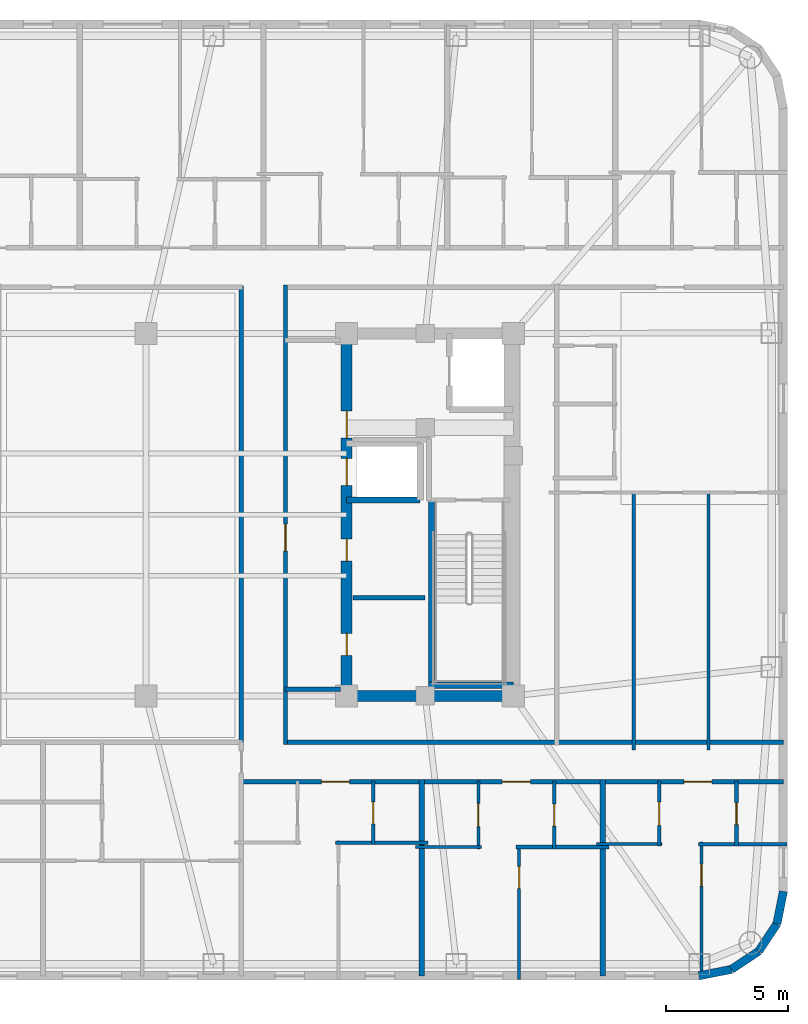
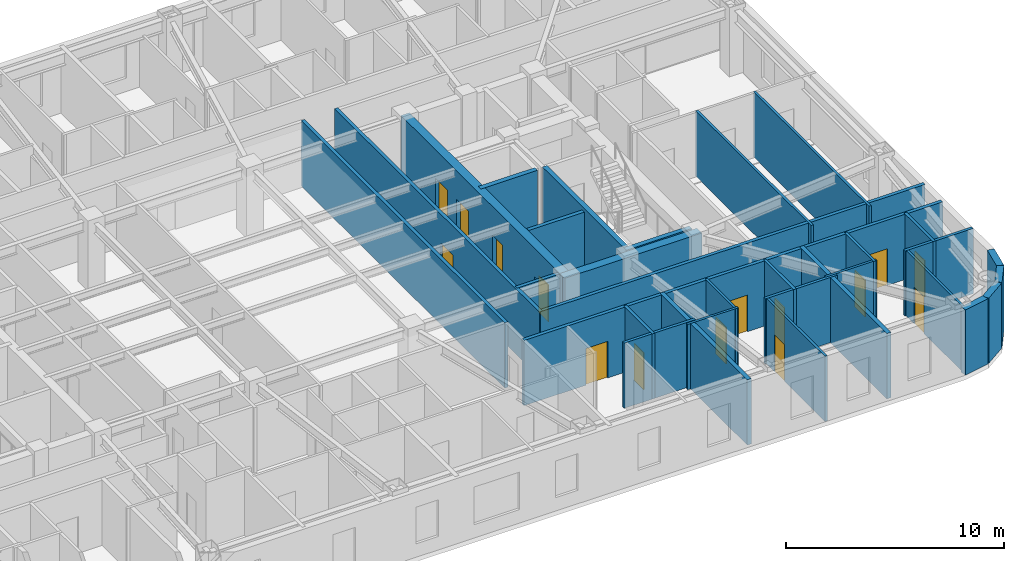
# One storey, part 6 of 11: 31 walls, 15 doors, 15 openings.
"""IFC4 building model written with IfcOpenShell, lengths in metres."""

from ifc_helpers import new_model, si_unit, direction, frame, frame_2d, origin, place, context, subcontext, project, spatial, rectangle, extrude, material, layer, layer_set, type_object, element, fill, save


model = new_model("IFC4")

# Units and contexts
model_context = context("Model", 3, precision=1e-05, world=origin(), true_north=direction((0.0, 1.0)))
body_context = subcontext(model_context, "Body", "Model", "MODEL_VIEW")
ifc_project = project(units=[si_unit("LENGTHUNIT", "METRE"), si_unit("AREAUNIT", "SQUARE_METRE"), si_unit("VOLUMEUNIT", "CUBIC_METRE"), si_unit("PLANEANGLEUNIT", "RADIAN"), si_unit("MASSUNIT", "GRAM", prefix="KILO")], contexts=[model_context])

# Site, building, storey
site_placement = place(None, origin())
site = spatial("IfcSite", under=ifc_project, at=site_placement, CompositionType="ELEMENT")
building_placement = place(site_placement, origin())
building = spatial("IfcBuilding", under=site, at=building_placement, Name="Voryun Gate Residences", CompositionType="ELEMENT")
storey_placement = place(building_placement, frame((0.0, 0.0, 243.10009765625)))
storey = spatial("IfcBuildingStorey", under=building, at=storey_placement, Name="L60", CompositionType="ELEMENT", Elevation=243.10009765625)

# Wall
ifc_material_1 = material(Name="Concrete C50/60", Category="concrete")
ifc_layer_1 = layer(ifc_material_1, 0.449951171875, Name="CW_CORE_450")
ifc_layer_set_1 = layer_set([ifc_layer_1], Name="Concrete C50/60")
wall_type_1 = type_object("IfcWallType", Name="CW_CORE_450", PredefinedType="SHEAR", material=ifc_layer_set_1)
wall_1_placement = place(storey_placement, frame((12.175048828125, -7.39990234375, 0.0), z_axis=(0.0, 0.0, 1.0), x_axis=(1.0, 0.0, 0.0)))
element("IfcWall", 1, at=wall_1_placement, inside=storey, type_object=wall_type_1, Name="L60 Core shear wall CW-L60-ES", PredefinedType="SHEAR", context=body_context, shape_type="SweptSolid", body=[
    extrude(rectangle(XDim=7.25, YDim=0.449951171875, at=frame_2d((3.625, 0.0))), origin(), (0.0, 0.0, 1.0), 3.64990234375),
])

# Wall, openings, doors
wall_2_placement = place(storey_placement, frame((12.39990234375, -7.39990234375, 0.0), z_axis=(0.0, 0.0, 1.0), x_axis=(0.0, 1.0, 0.0)))
wall_2 = element("IfcWall", 2, at=wall_2_placement, inside=storey, type_object=wall_type_1, Name="L60 Core shear wall CW-L60-EW", PredefinedType="SHEAR", context=body_context, shape_type="SweptSolid", body=[
    extrude(rectangle(XDim=14.7998046875, YDim=0.449951171875, at=frame_2d((7.39990234375, 0.0))), origin(), (0.0, 0.0, 1.0), 3.64990234375),
])
opening_1_placement = place(wall_2_placement, frame((8.60009765625, 0.0, 0.0)))
opening_1 = element("IfcOpeningElement", 3, at=opening_1_placement, cuts=wall_2, Name="Opening LD2", PredefinedType="OPENING", context=body_context, shape_type="SweptSolid", body=[
    extrude(rectangle(XDim=1.10009765625, YDim=2.050048828125, at=frame_2d((0.550048828125, 1.02490234375))), frame((0.0, 0.235107421875, 0.0), z_axis=(0.0, -1.0, 0.0), x_axis=(1.0, 0.0, 0.0)), (0.0, 0.0, 1.0), 0.469970703125),
])
opening_2_placement = place(wall_2_placement, frame((10.530029296875, 0.0, 0.0)))
opening_2 = element("IfcOpeningElement", 4, at=opening_2_placement, cuts=wall_2, Name="Opening D-FD60-2", PredefinedType="OPENING", context=body_context, shape_type="SweptSolid", body=[
    extrude(rectangle(XDim=1.10009765625, YDim=2.050048828125, at=frame_2d((0.550048828125, 1.02490234375))), frame((0.0, 0.235107421875, 0.0), z_axis=(0.0, -1.0, 0.0), x_axis=(1.0, 0.0, 0.0)), (0.0, 0.0, 1.0), 0.469970703125),
])
opening_3_placement = place(wall_2_placement, frame((1.64990234375, 0.0, 0.0)))
opening_3 = element("IfcOpeningElement", 5, at=opening_3_placement, cuts=wall_2, Name="Opening D-FD60-4", PredefinedType="OPENING", context=body_context, shape_type="SweptSolid", body=[
    extrude(rectangle(XDim=0.89990234375, YDim=2.050048828125, at=frame_2d((0.449951171875, 1.02490234375))), frame((0.0, 0.235107421875, 0.0), z_axis=(0.0, -1.0, 0.0), x_axis=(1.0, 0.0, 0.0)), (0.0, 0.0, 1.0), 0.469970703125),
])
opening_4_placement = place(wall_2_placement, frame((5.5, 0.0, 0.0)))
opening_4 = element("IfcOpeningElement", 6, at=opening_4_placement, cuts=wall_2, Name="Opening D-FD60-4", PredefinedType="OPENING", context=body_context, shape_type="SweptSolid", body=[
    extrude(rectangle(XDim=0.89990234375, YDim=2.050048828125, at=frame_2d((0.449951171875, 1.02490234375))), frame((0.0, 0.235107421875, 0.0), z_axis=(0.0, -1.0, 0.0), x_axis=(1.0, 0.0, 0.0)), (0.0, 0.0, 1.0), 0.469970703125),
])
ifc_material_2 = material(Name="Painted steel fire door", Category="steel")
door_type_1 = type_object("IfcDoorType", Name="DR_FD60_FFLOB_1100", OperationType="NOTDEFINED", PredefinedType="DOOR", material=ifc_material_2)
door_1_placement = place(opening_2_placement, origin())
door_1 = element("IfcDoor", 7, at=door_1_placement, inside=storey, type_object=door_type_1, Name="Door DR-L60-CLOB-E", OperationType="SINGLE_SWING_RIGHT", OverallHeight=2.050048828125, OverallWidth=1.10009765625, PredefinedType="DOOR", context=body_context, shape_type="SweptSolid", body=[
    extrude(rectangle(XDim=1.10009765625, YDim=2.050048828125, at=frame_2d((0.550048828125, 1.02490234375))), frame((0.0, 0.02490234375, 0.0), z_axis=(0.0, -1.0, 0.0), x_axis=(1.0, 0.0, 0.0)), (0.0, 0.0, 1.0), 0.050048828125),
])
fill(opening_2, door_1)
ifc_material_3 = material(Name="Painted steel fire door", Category="steel")
door_type_2 = type_object("IfcDoorType", Name="DR_FD60_RISER_900", OperationType="NOTDEFINED", PredefinedType="DOOR", material=ifc_material_3)
door_2_placement = place(opening_3_placement, origin())
door_2 = element("IfcDoor", 8, at=door_2_placement, inside=storey, type_object=door_type_2, Name="Door DR-L60-RECE-HIS", OperationType="SINGLE_SWING_RIGHT", OverallHeight=2.050048828125, OverallWidth=0.89990234375, PredefinedType="DOOR", context=body_context, shape_type="SweptSolid", body=[
    extrude(rectangle(XDim=0.89990234375, YDim=2.050048828125, at=frame_2d((0.449951171875, 1.02490234375))), frame((0.0, 0.02490234375, 0.0), z_axis=(0.0, -1.0, 0.0), x_axis=(1.0, 0.0, 0.0)), (0.0, 0.0, 1.0), 0.050048828125),
])
fill(opening_3, door_2)
door_3_placement = place(opening_4_placement, origin())
door_3 = element("IfcDoor", 9, at=door_3_placement, inside=storey, type_object=door_type_2, Name="Door DR-L60-RECE-HIN", OperationType="SINGLE_SWING_LEFT", OverallHeight=2.050048828125, OverallWidth=0.89990234375, PredefinedType="DOOR", context=body_context, shape_type="SweptSolid", body=[
    extrude(rectangle(XDim=0.89990234375, YDim=2.050048828125, at=frame_2d((0.449951171875, 1.02490234375))), frame((0.0, 0.02490234375, 0.0), z_axis=(0.0, -1.0, 0.0), x_axis=(1.0, 0.0, 0.0)), (0.0, 0.0, 1.0), 0.050048828125),
])
fill(opening_4, door_3)
ifc_material_4 = material(Name="Anodised aluminium", Category="aluminium")
door_type_3 = type_object("IfcDoorType", Name="DR_LD_PASS_1100", OperationType="NOTDEFINED", PredefinedType="DOOR", material=ifc_material_4)
door_4_placement = place(opening_1_placement, origin())
door_4 = element("IfcDoor", 10, at=door_4_placement, inside=storey, type_object=door_type_3, Name="Lift EL-P8 sliding landing door L60", OperationType="SLIDING_TO_LEFT", OverallHeight=2.050048828125, OverallWidth=1.10009765625, PredefinedType="DOOR", context=body_context, shape_type="SweptSolid", body=[
    extrude(rectangle(XDim=1.10009765625, YDim=2.050048828125, at=frame_2d((0.550048828125, 1.02490234375))), frame((0.0, 0.02490234375, 0.0), z_axis=(0.0, -1.0, 0.0), x_axis=(1.0, 0.0, 0.0)), (0.0, 0.0, 1.0), 0.050048828125),
])
fill(opening_1, door_4)

# Wall
ifc_material_5 = material(Name="Gypsum acoustic fireboard")
ifc_layer_2 = layer(ifc_material_5, 0.179931640625, Name="W_CORR_RATED_180")
ifc_layer_set_2 = layer_set([ifc_layer_2], Name="Gypsum acoustic fireboard")
wall_type_2 = type_object("IfcWallType", Name="W_CORR_RATED_180", PredefinedType="PARTITIONING", material=ifc_layer_set_2)
wall_3_placement = place(storey_placement, frame((9.8798828125, -7.1201171875, 0.0), z_axis=(0.0, 0.0, 1.0), x_axis=(1.0, 0.0, 0.0)))
element("IfcWall", 11, at=wall_3_placement, inside=storey, type_object=wall_type_2, Name="Partition wall WP-L60-PLBS-E", PredefinedType="PARTITIONING", context=body_context, shape_type="SweptSolid", body=[
    extrude(rectangle(XDim=2.27001953125, YDim=0.179931640625, at=frame_2d((1.135009765625, 0.0))), origin(), (0.0, 0.0, 1.0), 3.64990234375),
])

# Wall, opening, door
wall_4_placement = place(storey_placement, frame((9.89990234375, -9.3798828125, 0.0), z_axis=(0.0, 0.0, 1.0), x_axis=(0.0, 1.0, 0.0)))
wall_4 = element("IfcWall", 12, at=wall_4_placement, inside=storey, type_object=wall_type_2, Name="Partition wall WP-L60-PLBE-FULL", PredefinedType="PARTITIONING", context=body_context, shape_type="SweptSolid", body=[
    extrude(rectangle(XDim=18.759765625, YDim=0.179931640625, at=frame_2d((9.3798828125, 0.0))), origin(), (0.0, 0.0, 1.0), 3.64990234375),
])
opening_5_placement = place(wall_4_placement, frame((7.89208984375, 0.0, 0.0)))
opening_5 = element("IfcOpeningElement", 13, at=opening_5_placement, cuts=wall_4, Name="Opening D-FD60-2", PredefinedType="OPENING", context=body_context, shape_type="SweptSolid", body=[
    extrude(rectangle(XDim=1.10009765625, YDim=2.050048828125, at=frame_2d((0.550048828125, 1.02490234375))), frame((0.0, 0.099853515625, 0.0), z_axis=(0.0, -1.0, 0.0), x_axis=(1.0, 0.0, 0.0)), (0.0, 0.0, 1.0), 0.199951171875),
])
door_5_placement = place(opening_5_placement, origin())
door_5 = element("IfcDoor", 14, at=door_5_placement, inside=storey, type_object=door_type_1, Name="Door DR-L60-PLBE-COR", OperationType="SINGLE_SWING_RIGHT", OverallHeight=2.050048828125, OverallWidth=1.10009765625, PredefinedType="DOOR", context=body_context, shape_type="SweptSolid", body=[
    extrude(rectangle(XDim=1.10009765625, YDim=2.050048828125, at=frame_2d((0.550048828125, 1.02490234375))), frame((0.0, 0.02490234375, 0.0), z_axis=(0.0, -1.0, 0.0), x_axis=(1.0, 0.0, 0.0)), (0.0, 0.0, 1.0), 0.050048828125),
])
fill(opening_5, door_5)

# Walls
wall_5_placement = place(storey_placement, frame((9.8798828125, -9.2900390625, 0.0), z_axis=(0.0, 0.0, 1.0), x_axis=(1.0, 0.0, 0.0)))
element("IfcWall", 15, at=wall_5_placement, inside=storey, type_object=wall_type_2, Name="Partition wall WP-L60-CWING-ES", PredefinedType="PARTITIONING", context=body_context, shape_type="SweptSolid", body=[
    extrude(rectangle(XDim=20.35009765625, YDim=0.179931640625, at=frame_2d((10.175048828125, 0.0))), origin(), (0.0, 0.0, 1.0), 3.64990234375),
])
wall_6_placement = place(storey_placement, frame((8.10009765625, -9.330078125, 0.0), z_axis=(0.0, 0.0, 1.0), x_axis=(0.0, 1.0, 0.0)))
element("IfcWall", 16, at=wall_6_placement, inside=storey, type_object=wall_type_2, Name="Partition wall WP-L60-Z3E", PredefinedType="PARTITIONING", context=body_context, shape_type="SweptSolid", body=[
    extrude(rectangle(XDim=18.66015625, YDim=0.179931640625, at=frame_2d((9.330078125, 0.0))), origin(), (0.0, 0.0, 1.0), 3.64990234375),
])

# Wall, openings, doors
wall_7_placement = place(storey_placement, frame((8.080078125, -10.89990234375, 0.0), z_axis=(0.0, 0.0, 1.0), x_axis=(1.0, 0.0, 0.0)))
wall_7 = element("IfcWall", 17, at=wall_7_placement, inside=storey, type_object=wall_type_2, Name="Partition wall WP-L60-SCORR-E", PredefinedType="PARTITIONING", context=body_context, shape_type="SweptSolid", body=[
    extrude(rectangle(XDim=22.14990234375, YDim=0.179931640625, at=frame_2d((11.074951171875, 0.0))), origin(), (0.0, 0.0, 1.0), 3.64990234375),
])
opening_6_placement = place(wall_7_placement, frame((3.283447265625, 0.0, 0.0)))
opening_6 = element("IfcOpeningElement", 18, at=opening_6_placement, cuts=wall_7, Name="Opening D-UNIT-1", PredefinedType="OPENING", context=body_context, shape_type="SweptSolid", body=[
    extrude(rectangle(XDim=1.14990234375, YDim=2.050048828125, at=frame_2d((0.574951171875, 1.02490234375))), frame((0.0, 0.099853515625, 0.0), z_axis=(0.0, -1.0, 0.0), x_axis=(1.0, 0.0, 0.0)), (0.0, 0.0, 1.0), 0.199951171875),
])
opening_7_placement = place(wall_7_placement, frame((10.668212890625, 0.0, 0.0)))
opening_7 = element("IfcOpeningElement", 19, at=opening_7_placement, cuts=wall_7, Name="Opening D-UNIT-1", PredefinedType="OPENING", context=body_context, shape_type="SweptSolid", body=[
    extrude(rectangle(XDim=1.14990234375, YDim=2.050048828125, at=frame_2d((0.574951171875, 1.02490234375))), frame((0.0, 0.099853515625, 0.0), z_axis=(0.0, -1.0, 0.0), x_axis=(1.0, 0.0, 0.0)), (0.0, 0.0, 1.0), 0.199951171875),
])
opening_8_placement = place(wall_7_placement, frame((18.084228515625, 0.0, 0.0)))
opening_8 = element("IfcOpeningElement", 20, at=opening_8_placement, cuts=wall_7, Name="Opening D-UNIT-1", PredefinedType="OPENING", context=body_context, shape_type="SweptSolid", body=[
    extrude(rectangle(XDim=1.14990234375, YDim=2.050048828125, at=frame_2d((0.574951171875, 1.02490234375))), frame((0.0, 0.099853515625, 0.0), z_axis=(0.0, -1.0, 0.0), x_axis=(1.0, 0.0, 0.0)), (0.0, 0.0, 1.0), 0.199951171875),
])
ifc_material_6 = material(Name="Armoured timber-clad fire door", Category="wood")
door_type_4 = type_object("IfcDoorType", Name="DR_UNIT_ENTRY_1150", OperationType="NOTDEFINED", PredefinedType="DOOR", material=ifc_material_6)
door_6_placement = place(opening_6_placement, origin())
door_6 = element("IfcDoor", 21, at=door_6_placement, inside=storey, type_object=door_type_4, Name="Door DR-L60-SENT-5", OperationType="SINGLE_SWING_RIGHT", OverallHeight=2.050048828125, OverallWidth=1.14990234375, PredefinedType="DOOR", context=body_context, shape_type="SweptSolid", body=[
    extrude(rectangle(XDim=1.14990234375, YDim=2.050048828125, at=frame_2d((0.574951171875, 1.02490234375))), frame((0.0, 0.02490234375, 0.0), z_axis=(0.0, -1.0, 0.0), x_axis=(1.0, 0.0, 0.0)), (0.0, 0.0, 1.0), 0.050048828125),
])
fill(opening_6, door_6)
door_7_placement = place(opening_7_placement, origin())
door_7 = element("IfcDoor", 22, at=door_7_placement, inside=storey, type_object=door_type_4, Name="Door DR-L60-SENT-6", OperationType="SINGLE_SWING_LEFT", OverallHeight=2.050048828125, OverallWidth=1.14990234375, PredefinedType="DOOR", context=body_context, shape_type="SweptSolid", body=[
    extrude(rectangle(XDim=1.14990234375, YDim=2.050048828125, at=frame_2d((0.574951171875, 1.02490234375))), frame((0.0, 0.02490234375, 0.0), z_axis=(0.0, -1.0, 0.0), x_axis=(1.0, 0.0, 0.0)), (0.0, 0.0, 1.0), 0.050048828125),
])
fill(opening_7, door_7)
door_8_placement = place(opening_8_placement, origin())
door_8 = element("IfcDoor", 23, at=door_8_placement, inside=storey, type_object=door_type_4, Name="Door DR-L60-SENT-7", OperationType="SINGLE_SWING_RIGHT", OverallHeight=2.050048828125, OverallWidth=1.14990234375, PredefinedType="DOOR", context=body_context, shape_type="SweptSolid", body=[
    extrude(rectangle(XDim=1.14990234375, YDim=2.050048828125, at=frame_2d((0.574951171875, 1.02490234375))), frame((0.0, 0.02490234375, 0.0), z_axis=(0.0, -1.0, 0.0), x_axis=(1.0, 0.0, 0.0)), (0.0, 0.0, 1.0), 0.050048828125),
])
fill(opening_8, door_8)

# Walls
ifc_material_7 = material(Name="Charcoal terracotta masonry", Category="masonry")
ifc_layer_3 = layer(ifc_material_7, 0.340087890625, Name="W_EXT_TERRACOTTA_340")
ifc_layer_set_3 = layer_set([ifc_layer_3], Name="Charcoal terracotta masonry")
wall_type_3 = type_object("IfcWallType", Name="W_EXT_TERRACOTTA_340", PredefinedType="ELEMENTEDWALL", material=ifc_layer_set_3)
wall_8_placement = place(storey_placement, frame((30.22998046875, -15.38330078125, 0.0), z_axis=(0.0, 0.0, 1.0), x_axis=(-0.195110379894, -0.98078129043, 0.0)))
element("IfcWall", 24, at=wall_8_placement, inside=storey, type_object=wall_type_3, Name="Exterior wall WEXT-L60-17", PredefinedType="ELEMENTEDWALL", context=body_context, shape_type="SweptSolid", body=[
    extrude(rectangle(XDim=1.35400390625, YDim=0.340087890625, at=frame_2d((0.677001953125, 0.0))), origin(), (0.0, 0.0, 1.0), 3.64990234375),
])
wall_9_placement = place(storey_placement, frame((29.9658203125, -16.711181640625, 0.0), z_axis=(0.0, 0.0, 1.0), x_axis=(-0.555584683399, -0.831459956686, 0.0)))
element("IfcWall", 25, at=wall_9_placement, inside=storey, type_object=wall_type_3, Name="Exterior wall WEXT-L60-18", PredefinedType="ELEMENTEDWALL", context=body_context, shape_type="SweptSolid", body=[
    extrude(rectangle(XDim=1.337158203125, YDim=0.340087890625, at=frame_2d((0.66845703125, 0.0))), origin(), (0.0, 0.0, 1.0), 3.64990234375),
])
wall_10_placement = place(storey_placement, frame((29.222900390625, -17.822998046875, 0.0), z_axis=(0.0, 0.0, 1.0), x_axis=(-0.831403586725, -0.555669034571, 0.0)))
element("IfcWall", 26, at=wall_10_placement, inside=storey, type_object=wall_type_3, Name="Exterior wall WEXT-L60-19", PredefinedType="ELEMENTEDWALL", context=body_context, shape_type="SweptSolid", body=[
    extrude(rectangle(XDim=1.3369140625, YDim=0.340087890625, at=frame_2d((0.66845703125, 0.0))), origin(), (0.0, 0.0, 1.0), 3.64990234375),
])
wall_11_placement = place(storey_placement, frame((28.111328125, -18.56591796875, 0.0), z_axis=(0.0, 0.0, 1.0), x_axis=(-0.980788153188, -0.195075878998, 0.0)))
element("IfcWall", 27, at=wall_11_placement, inside=storey, type_object=wall_type_3, Name="Exterior wall WEXT-L60-20", PredefinedType="ELEMENTEDWALL", context=body_context, shape_type="SweptSolid", body=[
    extrude(rectangle(XDim=1.354248046875, YDim=0.340087890625, at=frame_2d((0.67724609375, 0.0))), origin(), (0.0, 0.0, 1.0), 3.64990234375),
])
ifc_material_8 = material(Name="Concrete C40/50", Category="concrete")
ifc_layer_4 = layer(ifc_material_8, 0.199951171875, Name="W_FF_LOBBY_200")
ifc_layer_set_4 = layer_set([ifc_layer_4], Name="Concrete C40/50")
wall_type_4 = type_object("IfcWallType", Name="W_FF_LOBBY_200", PredefinedType="PARTITIONING", material=ifc_layer_set_4)
wall_12_placement = place(storey_placement, frame((12.659912109375, -3.389892578125, 0.0), z_axis=(0.0, 0.0, 1.0), x_axis=(1.0, 0.0, 0.0)))
element("IfcWall", 28, at=wall_12_placement, inside=storey, type_object=wall_type_4, Name="Partition wall WP-L60-RECEY-HI", PredefinedType="PARTITIONING", context=body_context, shape_type="SweptSolid", body=[
    extrude(rectangle(XDim=2.940185546875, YDim=0.199951171875, at=frame_2d((1.47021484375, 0.0))), origin(), (0.0, 0.0, 1.0), 3.64990234375),
])
ifc_material_9 = material(Name="Concrete C40/50", Category="concrete")
ifc_layer_5 = layer(ifc_material_9, 0.219970703125, Name="W_PARTY_ACOUSTIC_220")
ifc_layer_set_5 = layer_set([ifc_layer_5], Name="Concrete C40/50")
wall_type_5 = type_object("IfcWallType", Name="W_PARTY_ACOUSTIC_220", PredefinedType="PARTITIONING", material=ifc_layer_set_5)
for number, where, z_axis, x_axis, name in (
    (29, (15.466064453125, -18.830078125, 0.0), (0.0, 0.0, 1.0), (0.0, 1.0, 0.0), "Partition wall WP-L60-SPTY-5"),
    (30, (22.85107421875, -18.830078125, 0.0), (0.0, 0.0, 1.0), (0.0, 1.0, 0.0), "Partition wall WP-L60-SPTY-6"),
):
    element("IfcWall", number, at=place(storey_placement, frame(where, z_axis=z_axis, x_axis=x_axis)), inside=storey, type_object=wall_type_5, Name=name, PredefinedType="PARTITIONING", context=body_context, shape_type="SweptSolid", body=[
        extrude(rectangle(XDim=8.010009765625, YDim=0.219970703125, at=frame_2d((4.0048828125, 0.0))), origin(), (0.0, 0.0, 1.0), 3.64990234375),
    ])
ifc_material_10 = material(Name="Concrete C50/60", Category="concrete")
ifc_layer_6 = layer(ifc_material_10, 0.25, Name="W_SHAFT_RC250")
ifc_layer_set_6 = layer_set([ifc_layer_6], Name="Concrete C50/60")
wall_type_6 = type_object("IfcWallType", Name="W_SHAFT_RC250", PredefinedType="SOLIDWALL", material=ifc_layer_set_6)
wall_13_placement = place(storey_placement, frame((15.860107421875, -7.0849609375, 0.0), z_axis=(0.0, 0.0, 1.0), x_axis=(0.0, 1.0, 0.0)))
element("IfcWall", 31, at=wall_13_placement, inside=storey, type_object=wall_type_6, Name="L60 Stair shaft structural wall E-STL", PredefinedType="SOLIDWALL", context=body_context, shape_type="SweptSolid", body=[
    extrude(rectangle(XDim=7.68505859375, YDim=0.25, at=frame_2d((3.842529296875, 0.0))), origin(), (0.0, 0.0, 1.0), 3.64990234375),
])
wall_14_placement = place(storey_placement, frame((15.739990234375, -6.965087890625, 0.0), z_axis=(0.0, 0.0, 1.0), x_axis=(1.0, 0.0, 0.0)))
element("IfcWall", 32, at=wall_14_placement, inside=storey, type_object=wall_type_6, Name="L60 Stair shaft structural wall E-STS", PredefinedType="SOLIDWALL", context=body_context, shape_type="SweptSolid", body=[
    extrude(rectangle(XDim=3.4599609375, YDim=0.25, at=frame_2d((1.72998046875, 0.0))), origin(), (0.0, 0.0, 1.0), 3.64990234375),
])
wall_15_placement = place(storey_placement, frame((12.39990234375, 0.60009765625, 0.0), z_axis=(0.0, 0.0, 1.0), x_axis=(1.0, 0.0, 0.0)))
element("IfcWall", 33, at=wall_15_placement, inside=storey, type_object=wall_type_6, Name="Lift shaft wall WSH-L60-EL-P8-S", PredefinedType="SOLIDWALL", context=body_context, shape_type="SweptSolid", body=[
    extrude(rectangle(XDim=3.0, YDim=0.25, at=frame_2d((1.5, 0.0))), origin(), (0.0, 0.0, 1.0), 3.64990234375),
])

# Wall, opening, door
ifc_material_11 = material(Name="Gypsum acoustic partition")
ifc_layer_7 = layer(ifc_material_11, 0.125, Name="W_UNIT_PART_125")
ifc_layer_set_7 = layer_set([ifc_layer_7], Name="Gypsum acoustic partition")
wall_type_7 = type_object("IfcWallType", Name="W_UNIT_PART_125", PredefinedType="PARTITIONING", material=ifc_layer_set_7)
wall_16_placement = place(storey_placement, frame((19.44091796875, -18.97998046875, 0.0), z_axis=(0.0, 0.0, 1.0), x_axis=(0.0, 1.0, 0.0)))
wall_16 = element("IfcWall", 34, at=wall_16_placement, inside=storey, type_object=wall_type_7, Name="Partition wall WP-L60-S6-OVR", PredefinedType="PARTITIONING", context=body_context, shape_type="SweptSolid", body=[
    extrude(rectangle(XDim=5.488037109375, YDim=0.125, at=frame_2d((2.744140625, 0.0))), origin(), (0.0, 0.0, 1.0), 3.64990234375),
])
opening_9_placement = place(wall_16_placement, frame((3.720947265625, 0.0, 0.0)))
opening_9 = element("IfcOpeningElement", 35, at=opening_9_placement, cuts=wall_16, Name="Opening D-INT-2", PredefinedType="OPENING", context=body_context, shape_type="SweptSolid", body=[
    extrude(rectangle(XDim=0.89990234375, YDim=2.050048828125, at=frame_2d((0.449951171875, 1.02490234375))), frame((0.0, 0.072509765625, 0.0), z_axis=(0.0, -1.0, 0.0), x_axis=(1.0, 0.0, 0.0)), (0.0, 0.0, 1.0), 0.14501953125),
])
ifc_material_12 = material(Name="Architectural oak veneer")
door_type_5 = type_object("IfcDoorType", Name="DR_INT_BATH_900", OperationType="NOTDEFINED", PredefinedType="DOOR", material=ifc_material_12)
door_9_placement = place(opening_9_placement, origin())
door_9 = element("IfcDoor", 36, at=door_9_placement, inside=storey, type_object=door_type_5, Name="Door DR-L60-S6-DMB", OperationType="SINGLE_SWING_RIGHT", OverallHeight=2.050048828125, OverallWidth=0.89990234375, PredefinedType="DOOR", context=body_context, shape_type="SweptSolid", body=[
    extrude(rectangle(XDim=0.89990234375, YDim=2.050048828125, at=frame_2d((0.449951171875, 1.02490234375))), frame((0.0, 0.02490234375, 0.0), z_axis=(0.0, -1.0, 0.0), x_axis=(1.0, 0.0, 0.0)), (0.0, 0.0, 1.0), 0.050048828125),
])
fill(opening_9, door_9)

wall_17_placement = place(storey_placement, frame((17.77587890625, -13.652099609375, 0.0), z_axis=(0.0, 0.0, 1.0), x_axis=(0.0, 1.0, 0.0)))
wall_17 = element("IfcWall", 37, at=wall_17_placement, inside=storey, type_object=wall_type_7, Name="Partition wall WP-L60-S6-IVK", PredefinedType="PARTITIONING", context=body_context, shape_type="SweptSolid", body=[
    extrude(rectangle(XDim=2.772216796875, YDim=0.125, at=frame_2d((1.38623046875, 0.0))), origin(), (0.0, 0.0, 1.0), 3.64990234375),
])
opening_10_placement = place(wall_17_placement, frame((0.910888671875, 0.0, 0.0)))
opening_10 = element("IfcOpeningElement", 38, at=opening_10_placement, cuts=wall_17, Name="Opening D-INT-1", PredefinedType="OPENING", context=body_context, shape_type="SweptSolid", body=[
    extrude(rectangle(XDim=0.949951171875, YDim=2.050048828125, at=frame_2d((0.47509765625, 1.02490234375))), frame((0.0, 0.072509765625, 0.0), z_axis=(0.0, -1.0, 0.0), x_axis=(1.0, 0.0, 0.0)), (0.0, 0.0, 1.0), 0.14501953125),
])
ifc_material_13 = material(Name="Architectural oak veneer")
door_type_6 = type_object("IfcDoorType", Name="DR_INT_ROOM_950", OperationType="NOTDEFINED", PredefinedType="DOOR", material=ifc_material_13)
door_10_placement = place(opening_10_placement, origin())
door_10 = element("IfcDoor", 39, at=door_10_placement, inside=storey, type_object=door_type_6, Name="Door DR-L60-S6-DK", OperationType="SINGLE_SWING_LEFT", OverallHeight=2.050048828125, OverallWidth=0.949951171875, PredefinedType="DOOR", context=body_context, shape_type="SweptSolid", body=[
    extrude(rectangle(XDim=0.949951171875, YDim=2.050048828125, at=frame_2d((0.47509765625, 1.02490234375))), frame((0.0, 0.02490234375, 0.0), z_axis=(0.0, -1.0, 0.0), x_axis=(1.0, 0.0, 0.0)), (0.0, 0.0, 1.0), 0.050048828125),
])
fill(opening_10, door_10)

# Wall
wall_18_placement = place(storey_placement, frame((15.2060546875, -13.572021484375, 0.0), z_axis=(0.0, 0.0, 1.0), x_axis=(1.0, 0.0, 0.0)))
element("IfcWall", 40, at=wall_18_placement, inside=storey, type_object=wall_type_7, Name="Partition wall WP-L60-S6-HZK", PredefinedType="PARTITIONING", context=body_context, shape_type="SweptSolid", body=[
    extrude(rectangle(XDim=2.68994140625, YDim=0.125, at=frame_2d((1.344970703125, 0.0))), origin(), (0.0, 0.0, 1.0), 3.64990234375),
])

# Wall, opening, door
wall_19_placement = place(storey_placement, frame((26.886962890625, -18.96240234375, 0.0), z_axis=(0.0, 0.0, 1.0), x_axis=(0.0, 1.0, 0.0)))
wall_19 = element("IfcWall", 41, at=wall_19_placement, inside=storey, type_object=wall_type_7, Name="Partition wall WP-L60-S7-OVR", PredefinedType="PARTITIONING", context=body_context, shape_type="SweptSolid", body=[
    extrude(rectangle(XDim=5.58935546875, YDim=0.125, at=frame_2d((2.794677734375, 0.0))), origin(), (0.0, 0.0, 1.0), 3.64990234375),
])
opening_11_placement = place(wall_19_placement, frame((3.7978515625, 0.0, 0.0)))
opening_11 = element("IfcOpeningElement", 42, at=opening_11_placement, cuts=wall_19, Name="Opening D-INT-2", PredefinedType="OPENING", context=body_context, shape_type="SweptSolid", body=[
    extrude(rectangle(XDim=0.89990234375, YDim=2.050048828125, at=frame_2d((0.449951171875, 1.02490234375))), frame((0.0, 0.072509765625, 0.0), z_axis=(0.0, -1.0, 0.0), x_axis=(1.0, 0.0, 0.0)), (0.0, 0.0, 1.0), 0.14501953125),
])
door_11_placement = place(opening_11_placement, origin())
door_11 = element("IfcDoor", 43, at=door_11_placement, inside=storey, type_object=door_type_5, Name="Door DR-L60-S7-DMB", OperationType="SINGLE_SWING_RIGHT", OverallHeight=2.050048828125, OverallWidth=0.89990234375, PredefinedType="DOOR", context=body_context, shape_type="SweptSolid", body=[
    extrude(rectangle(XDim=0.89990234375, YDim=2.050048828125, at=frame_2d((0.449951171875, 1.02490234375))), frame((0.0, 0.02490234375, 0.0), z_axis=(0.0, -1.0, 0.0), x_axis=(1.0, 0.0, 0.0)), (0.0, 0.0, 1.0), 0.050048828125),
])
fill(opening_11, door_11)

wall_20_placement = place(storey_placement, frame((25.160888671875, -13.532958984375, 0.0), z_axis=(0.0, 0.0, 1.0), x_axis=(0.0, 1.0, 0.0)))
wall_20 = element("IfcWall", 44, at=wall_20_placement, inside=storey, type_object=wall_type_7, Name="Partition wall WP-L60-S7-IVK", PredefinedType="PARTITIONING", context=body_context, shape_type="SweptSolid", body=[
    extrude(rectangle(XDim=2.653076171875, YDim=0.125, at=frame_2d((1.32666015625, 0.0))), origin(), (0.0, 0.0, 1.0), 3.64990234375),
])
opening_12_placement = place(wall_20_placement, frame((0.8515625, 0.0, 0.0)))
opening_12 = element("IfcOpeningElement", 45, at=opening_12_placement, cuts=wall_20, Name="Opening D-INT-1", PredefinedType="OPENING", context=body_context, shape_type="SweptSolid", body=[
    extrude(rectangle(XDim=0.949951171875, YDim=2.050048828125, at=frame_2d((0.47509765625, 1.02490234375))), frame((0.0, 0.072509765625, 0.0), z_axis=(0.0, -1.0, 0.0), x_axis=(1.0, 0.0, 0.0)), (0.0, 0.0, 1.0), 0.14501953125),
])
door_12_placement = place(opening_12_placement, origin())
door_12 = element("IfcDoor", 46, at=door_12_placement, inside=storey, type_object=door_type_6, Name="Door DR-L60-S7-DK", OperationType="SINGLE_SWING_LEFT", OverallHeight=2.050048828125, OverallWidth=0.949951171875, PredefinedType="DOOR", context=body_context, shape_type="SweptSolid", body=[
    extrude(rectangle(XDim=0.949951171875, YDim=2.050048828125, at=frame_2d((0.47509765625, 1.02490234375))), frame((0.0, 0.02490234375, 0.0), z_axis=(0.0, -1.0, 0.0), x_axis=(1.0, 0.0, 0.0)), (0.0, 0.0, 1.0), 0.050048828125),
])
fill(opening_12, door_12)

# Walls
wall_21_placement = place(storey_placement, frame((22.591064453125, -13.452880859375, 0.0), z_axis=(0.0, 0.0, 1.0), x_axis=(1.0, 0.0, 0.0)))
element("IfcWall", 47, at=wall_21_placement, inside=storey, type_object=wall_type_7, Name="Partition wall WP-L60-S7-HZK", PredefinedType="PARTITIONING", context=body_context, shape_type="SweptSolid", body=[
    extrude(rectangle(XDim=2.68994140625, YDim=0.125, at=frame_2d((1.344970703125, 0.0))), origin(), (0.0, 0.0, 1.0), 3.64990234375),
])
for number, where, z_axis, x_axis, name in (
    (48, (27.178955078125, -9.610107421875, 0.0), (0.0, 0.0, 1.0), (0.0, 1.0, 0.0), "Partition wall WP-L60-E1-VMB2"),
    (49, (24.12109375, -9.610107421875, 0.0), (0.0, 0.0, 1.0), (0.0, 1.0, 0.0), "Partition wall WP-L60-E1-VMB"),
):
    element("IfcWall", number, at=place(storey_placement, frame(where, z_axis=z_axis, x_axis=x_axis)), inside=storey, type_object=wall_type_7, Name=name, PredefinedType="PARTITIONING", context=body_context, shape_type="SweptSolid", body=[
        extrude(rectangle(XDim=10.580078125, YDim=0.125, at=frame_2d((5.2900390625, 0.0))), origin(), (0.0, 0.0, 1.0), 3.64990234375),
    ])
ifc_material_14 = material(Name="Gypsum moisture-resistant partition")
ifc_layer_8 = layer(ifc_material_14, 0.14990234375, Name="W_WET_PLUMB_150")
ifc_layer_set_8 = layer_set([ifc_layer_8], Name="Gypsum moisture-resistant partition")
wall_type_8 = type_object("IfcWallType", Name="W_WET_PLUMB_150", PredefinedType="PLUMBINGWALL", material=ifc_layer_set_8)
wall_22_placement = place(storey_placement, frame((11.93603515625, -13.39404296875, 0.0), z_axis=(0.0, 0.0, 1.0), x_axis=(1.0, 0.0, 0.0)))
element("IfcWall", 50, at=wall_22_placement, inside=storey, type_object=wall_type_8, Name="Partition wall WP-L60-S5-HZB", PredefinedType="PLUMBINGWALL", context=body_context, shape_type="SweptSolid", body=[
    extrude(rectangle(XDim=3.7900390625, YDim=0.14990234375, at=frame_2d((1.89501953125, 0.0))), origin(), (0.0, 0.0, 1.0), 3.64990234375),
])

# Wall, opening, door
wall_23_placement = place(storey_placement, frame((13.486083984375, -13.47412109375, 0.0), z_axis=(0.0, 0.0, 1.0), x_axis=(0.0, 1.0, 0.0)))
wall_23 = element("IfcWall", 51, at=wall_23_placement, inside=storey, type_object=wall_type_8, Name="Partition wall WP-L60-S5-IVB", PredefinedType="PLUMBINGWALL", context=body_context, shape_type="SweptSolid", body=[
    extrude(rectangle(XDim=2.59423828125, YDim=0.14990234375, at=frame_2d((1.297119140625, 0.0))), origin(), (0.0, 0.0, 1.0), 3.64990234375),
])
opening_13_placement = place(wall_23_placement, frame((0.846923828125, 0.0, 0.0)))
opening_13 = element("IfcOpeningElement", 52, at=opening_13_placement, cuts=wall_23, Name="Opening D-INT-2", PredefinedType="OPENING", context=body_context, shape_type="SweptSolid", body=[
    extrude(rectangle(XDim=0.89990234375, YDim=2.050048828125, at=frame_2d((0.449951171875, 1.02490234375))), frame((0.0, 0.0849609375, 0.0), z_axis=(0.0, -1.0, 0.0), x_axis=(1.0, 0.0, 0.0)), (0.0, 0.0, 1.0), 0.169921875),
])
door_13_placement = place(opening_13_placement, origin())
door_13 = element("IfcDoor", 53, at=door_13_placement, inside=storey, type_object=door_type_5, Name="Door DR-L60-S5-DB", OperationType="SINGLE_SWING_RIGHT", OverallHeight=2.050048828125, OverallWidth=0.89990234375, PredefinedType="DOOR", context=body_context, shape_type="SweptSolid", body=[
    extrude(rectangle(XDim=0.89990234375, YDim=2.050048828125, at=frame_2d((0.449951171875, 1.02490234375))), frame((0.0, 0.02490234375, 0.0), z_axis=(0.0, -1.0, 0.0), x_axis=(1.0, 0.0, 0.0)), (0.0, 0.0, 1.0), 0.050048828125),
])
fill(opening_13, door_13)

# Wall
wall_24_placement = place(storey_placement, frame((19.321044921875, -13.572021484375, 0.0), z_axis=(0.0, 0.0, 1.0), x_axis=(1.0, 0.0, 0.0)))
element("IfcWall", 54, at=wall_24_placement, inside=storey, type_object=wall_type_8, Name="Partition wall WP-L60-S6-HZB", PredefinedType="PLUMBINGWALL", context=body_context, shape_type="SweptSolid", body=[
    extrude(rectangle(XDim=3.7900390625, YDim=0.14990234375, at=frame_2d((1.89501953125, 0.0))), origin(), (0.0, 0.0, 1.0), 3.64990234375),
])

# Wall, opening, door
wall_25_placement = place(storey_placement, frame((20.87109375, -13.652099609375, 0.0), z_axis=(0.0, 0.0, 1.0), x_axis=(0.0, 1.0, 0.0)))
wall_25 = element("IfcWall", 55, at=wall_25_placement, inside=storey, type_object=wall_type_8, Name="Partition wall WP-L60-S6-IVB", PredefinedType="PLUMBINGWALL", context=body_context, shape_type="SweptSolid", body=[
    extrude(rectangle(XDim=2.772216796875, YDim=0.14990234375, at=frame_2d((1.38623046875, 0.0))), origin(), (0.0, 0.0, 1.0), 3.64990234375),
])
opening_14_placement = place(wall_25_placement, frame((0.93603515625, 0.0, 0.0)))
opening_14 = element("IfcOpeningElement", 56, at=opening_14_placement, cuts=wall_25, Name="Opening D-INT-2", PredefinedType="OPENING", context=body_context, shape_type="SweptSolid", body=[
    extrude(rectangle(XDim=0.89990234375, YDim=2.050048828125, at=frame_2d((0.449951171875, 1.02490234375))), frame((0.0, 0.0849609375, 0.0), z_axis=(0.0, -1.0, 0.0), x_axis=(1.0, 0.0, 0.0)), (0.0, 0.0, 1.0), 0.169921875),
])
door_14_placement = place(opening_14_placement, origin())
door_14 = element("IfcDoor", 57, at=door_14_placement, inside=storey, type_object=door_type_5, Name="Door DR-L60-S6-DB", OperationType="SINGLE_SWING_RIGHT", OverallHeight=2.050048828125, OverallWidth=0.89990234375, PredefinedType="DOOR", context=body_context, shape_type="SweptSolid", body=[
    extrude(rectangle(XDim=0.89990234375, YDim=2.050048828125, at=frame_2d((0.449951171875, 1.02490234375))), frame((0.0, 0.02490234375, 0.0), z_axis=(0.0, -1.0, 0.0), x_axis=(1.0, 0.0, 0.0)), (0.0, 0.0, 1.0), 0.050048828125),
])
fill(opening_14, door_14)

# Wall
wall_26_placement = place(storey_placement, frame((26.76708984375, -13.452880859375, 0.0), z_axis=(0.0, 0.0, 1.0), x_axis=(1.0, 0.0, 0.0)))
element("IfcWall", 58, at=wall_26_placement, inside=storey, type_object=wall_type_8, Name="Partition wall WP-L60-S7-HZB", PredefinedType="PLUMBINGWALL", context=body_context, shape_type="SweptSolid", body=[
    extrude(rectangle(XDim=3.61279296875, YDim=0.14990234375, at=frame_2d((1.806396484375, 0.0))), origin(), (0.0, 0.0, 1.0), 3.64990234375),
])

# Wall, opening, door
wall_27_placement = place(storey_placement, frame((28.31689453125, -13.532958984375, 0.0), z_axis=(0.0, 0.0, 1.0), x_axis=(0.0, 1.0, 0.0)))
wall_27 = element("IfcWall", 59, at=wall_27_placement, inside=storey, type_object=wall_type_8, Name="Partition wall WP-L60-S7-IVB", PredefinedType="PLUMBINGWALL", context=body_context, shape_type="SweptSolid", body=[
    extrude(rectangle(XDim=2.653076171875, YDim=0.14990234375, at=frame_2d((1.32666015625, 0.0))), origin(), (0.0, 0.0, 1.0), 3.64990234375),
])
opening_15_placement = place(wall_27_placement, frame((0.87646484375, 0.0, 0.0)))
opening_15 = element("IfcOpeningElement", 60, at=opening_15_placement, cuts=wall_27, Name="Opening D-INT-2", PredefinedType="OPENING", context=body_context, shape_type="SweptSolid", body=[
    extrude(rectangle(XDim=0.89990234375, YDim=2.050048828125, at=frame_2d((0.449951171875, 1.02490234375))), frame((0.0, 0.0849609375, 0.0), z_axis=(0.0, -1.0, 0.0), x_axis=(1.0, 0.0, 0.0)), (0.0, 0.0, 1.0), 0.169921875),
])
door_15_placement = place(opening_15_placement, origin())
door_15 = element("IfcDoor", 61, at=door_15_placement, inside=storey, type_object=door_type_5, Name="Door DR-L60-S7-DB", OperationType="SINGLE_SWING_RIGHT", OverallHeight=2.050048828125, OverallWidth=0.89990234375, PredefinedType="DOOR", context=body_context, shape_type="SweptSolid", body=[
    extrude(rectangle(XDim=0.89990234375, YDim=2.050048828125, at=frame_2d((0.449951171875, 1.02490234375))), frame((0.0, 0.02490234375, 0.0), z_axis=(0.0, -1.0, 0.0), x_axis=(1.0, 0.0, 0.0)), (0.0, 0.0, 1.0), 0.050048828125),
])
fill(opening_15, door_15)

save(model, "model.ifc")
